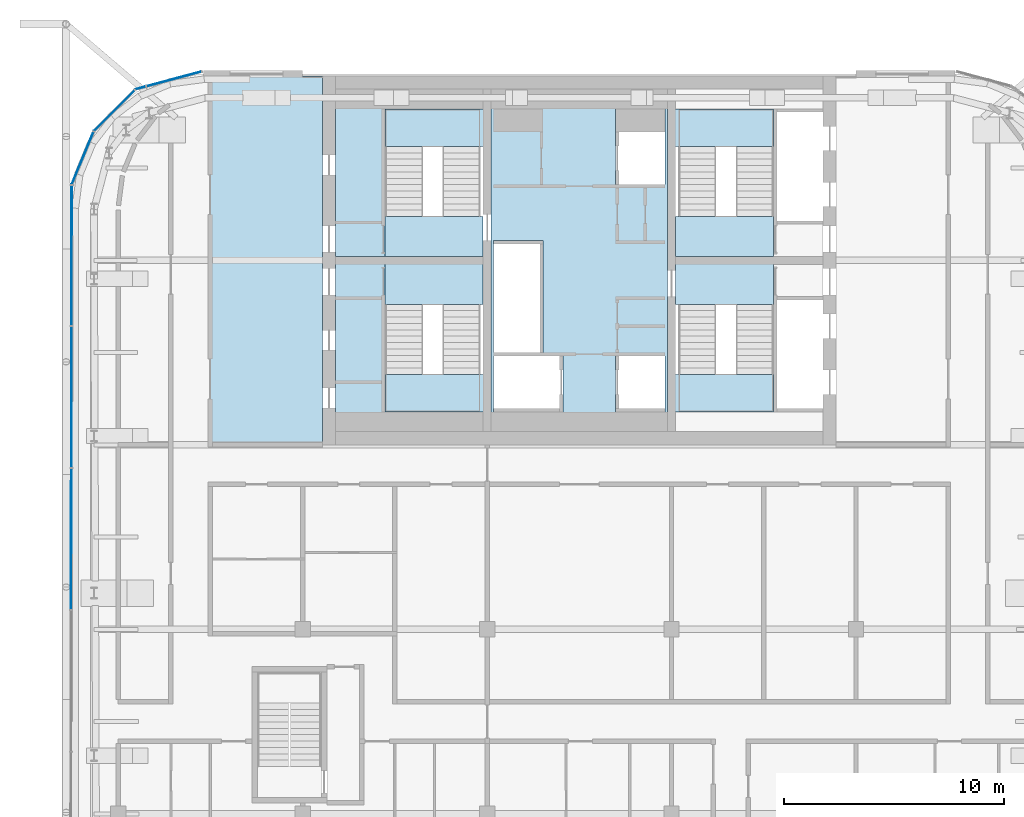
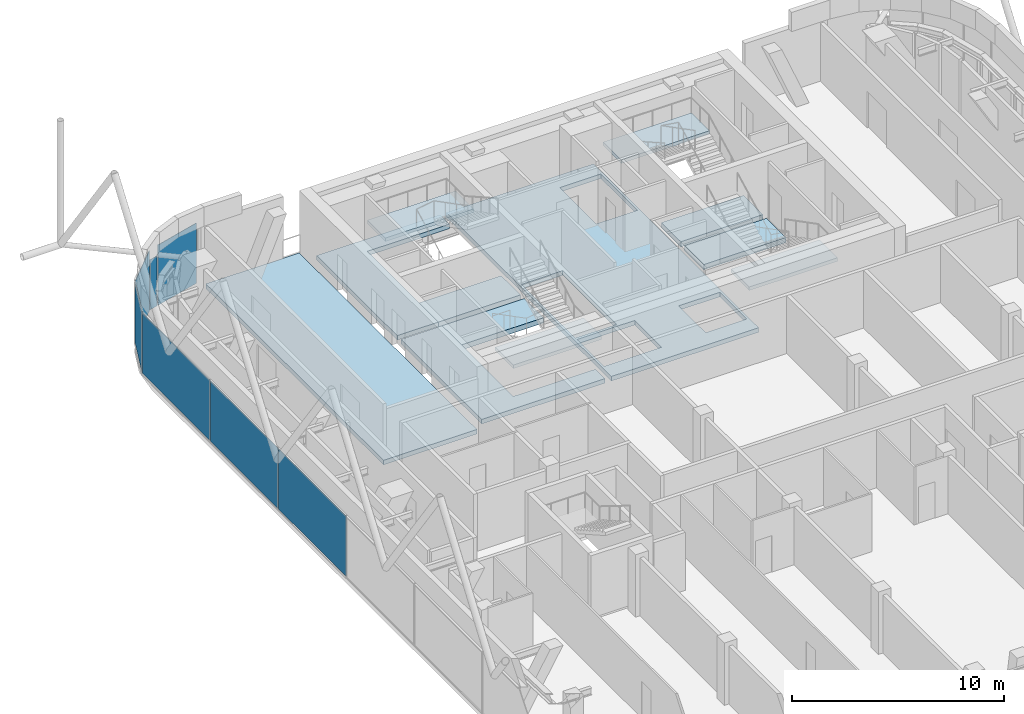
# One storey, part 17 of 25: 12 slabs, 7 plates, 9 elements without a shape of their own.
"""IFC4 building model written with IfcOpenShell, lengths in metres."""

from ifc_helpers import new_model, si_unit, direction, frame, origin, origin_2d, place, context, subcontext, project, spatial, polyline, rectangle, outline, extrude, material, layer, layer_set, type_object, element, aggregate, save


model = new_model("IFC4")

# Units and contexts
model_context = context("Model", 3, precision=1e-05, world=origin(), true_north=direction((0.0, 1.0)))
body_context = subcontext(model_context, "Body", "Model", "MODEL_VIEW")
ifc_project = project(units=[si_unit("LENGTHUNIT", "METRE"), si_unit("AREAUNIT", "SQUARE_METRE"), si_unit("VOLUMEUNIT", "CUBIC_METRE"), si_unit("PLANEANGLEUNIT", "RADIAN"), si_unit("MASSUNIT", "GRAM", prefix="KILO")], contexts=[model_context])

# Site, building, storey
site_placement = place(None, origin())
site = spatial("IfcSite", under=ifc_project, at=site_placement, CompositionType="ELEMENT")
building_placement = place(site_placement, origin())
building = spatial("IfcBuilding", under=site, at=building_placement, Name="Marenta Gate Hotel Tower", CompositionType="ELEMENT")
storey_placement = place(building_placement, frame((0.0, 0.0, 277.699951171875)))
storey = spatial("IfcBuildingStorey", under=building, at=storey_placement, Name="L64", CompositionType="ELEMENT", Elevation=277.699951171875)

# Slabs
ifc_material_1 = material(Name="Concrete C40", Category="concrete")
ifc_layer_1 = layer(ifc_material_1, 0.260009765625)
ifc_layer_set_1 = layer_set([ifc_layer_1], Name="Concrete C40")
slab_type_1 = type_object("IfcSlabType", Name="Core floor slab 260", PredefinedType="FLOOR", material=ifc_layer_set_1)
slab_1_placement = place(storey_placement, frame((0.0, 0.0, -0.260009765625)))
element("IfcSlab", 1, at=slab_1_placement, inside=storey, type_object=slab_type_1, Name="L64-CF-4", PredefinedType="FLOOR", context=body_context, shape_type="SweptSolid", body=[
    extrude(outline(polyline([(4.02490234375, 15.300048828125), (4.02490234375, 10.39990234375), (4.02490234375, 6.39990234375), (4.02490234375, 1.5), (4.02490234375, 0.60009765625), (-4.02490234375, 0.60009765625), (-4.02490234375, 1.5), (-4.02490234375, 6.39990234375), (-4.02490234375, 10.39990234375), (-4.02490234375, 15.300048828125), (-4.02490234375, 16.199951171875), (4.02490234375, 16.199951171875), (4.02490234375, 15.300048828125)]), holes=[polyline([(1.64990234375, 14.25), (1.64990234375, 11.85009765625), (1.800048828125, 11.85009765625), (3.89990234375, 11.85009765625), (3.89990234375, 14.25), (3.89990234375, 15.300048828125), (1.64990234375, 15.300048828125), (1.64990234375, 14.25)]), polyline([(3.89990234375, 1.64990234375), (3.89990234375, 4.050048828125), (1.800048828125, 4.050048828125), (1.64990234375, 4.050048828125), (1.64990234375, 1.64990234375), (1.64990234375, 1.5), (3.89990234375, 1.5), (3.89990234375, 1.64990234375)]), polyline([(-3.89990234375, 1.64990234375), (-3.89990234375, 1.5), (-0.89990234375, 1.5), (-0.75, 1.5), (-0.75, 4.050048828125), (-0.89990234375, 4.050048828125), (-3.89990234375, 4.050048828125), (-3.89990234375, 1.64990234375)]), polyline([(-1.800048828125, 4.199951171875), (-1.64990234375, 4.199951171875), (-1.64990234375, 9.14990234375), (-1.64990234375, 9.300048828125), (-3.89990234375, 9.300048828125), (-3.89990234375, 9.14990234375), (-3.89990234375, 6.75), (-3.89990234375, 6.60009765625), (-3.89990234375, 4.199951171875), (-1.800048828125, 4.199951171875)])]), origin(), (0.0, 0.0, 1.0), 0.260009765625),
])
slab_2_placement = place(storey_placement, frame((0.0, 0.0, -0.260009765625)))
element("IfcSlab", 2, at=slab_2_placement, inside=storey, type_object=slab_type_1, Name="L64-CF-5", PredefinedType="FLOOR", context=body_context, shape_type="SweptSolid", body=[
    extrude(outline(polyline([(-8.85009765625, 8.22509765625), (-8.85009765625, 8.10009765625), (-8.85009765625, 6.39990234375), (-8.85009765625, 1.5), (-4.375, 1.5), (-4.375, 0.60009765625), (-11.10009765625, 0.60009765625), (-11.10009765625, 8.22509765625), (-8.85009765625, 8.22509765625)])), origin(), (0.0, 0.0, 1.0), 0.260009765625),
])
slab_3_placement = place(storey_placement, frame((0.0, 0.0, -0.260009765625)))
element("IfcSlab", 3, at=slab_3_placement, inside=storey, type_object=slab_type_1, Name="L64-CF-6", PredefinedType="FLOOR", context=body_context, shape_type="SweptSolid", body=[
    extrude(outline(polyline([(-4.375, 15.300048828125), (-8.85009765625, 15.300048828125), (-8.85009765625, 10.39990234375), (-8.85009765625, 8.699951171875), (-8.85009765625, 8.574951171875), (-11.10009765625, 8.574951171875), (-11.10009765625, 16.199951171875), (-4.375, 16.199951171875), (-4.375, 15.300048828125)])), origin(), (0.0, 0.0, 1.0), 0.260009765625),
])
slab_4_placement = place(storey_placement, frame((0.0, 0.0, -0.260009765625)))
element("IfcSlab", 4, at=slab_4_placement, inside=storey, type_object=slab_type_1, Name="L64-CF-7", PredefinedType="FLOOR", context=body_context, shape_type="SweptSolid", body=[
    extrude(outline(polyline([(-11.699951171875, 16.800048828125), (-11.699951171875, 0.0), (-16.800048828125, 0.0), (-16.800048828125, 16.800048828125), (-11.699951171875, 16.800048828125)])), origin(), (0.0, 0.0, 1.0), 0.260009765625),
])

# Stair, slab
ifc_material_2 = material(Name="Concrete C40", Category="concrete")
stair_type = type_object("IfcStairType", Name="Core exit stair 1700 wide", PredefinedType="HALF_TURN_STAIR", material=ifc_material_2)
stair_1_placement = place(storey_placement, origin())
stair_1 = element("IfcStair", 5, at=stair_1_placement, inside=storey, type_object=stair_type, Name="Exit stair 1", PredefinedType="HALF_TURN_STAIR")
ifc_material_3 = material(Name="Concrete C40", Category="concrete")
ifc_layer_2 = layer(ifc_material_3, 0.199951171875)
ifc_layer_set_2 = layer_set([ifc_layer_2], Name="Concrete C40")
slab_type_2 = type_object("IfcSlabType", Name="Core stair landing 200", PredefinedType="LANDING", material=ifc_layer_set_2)
slab_5_placement = place(storey_placement, frame((0.0, 0.0, 1.60009765625)))
slab_5 = element("IfcSlab", 6, at=slab_5_placement, type_object=slab_type_2, Name="SL-200 ST1 landing 1", PredefinedType="LANDING", context=body_context, shape_type="SweptSolid", body=[
    extrude(outline(polyline([(-8.85009765625, 1.5), (-4.02490234375, 1.5), (-4.02490234375, 3.2099609375), (-8.85009765625, 3.2099609375), (-8.85009765625, 1.5)])), origin(), (0.0, 0.0, 1.0), 0.199951171875),
])
aggregate(stair_1, [slab_5])

stair_2_placement = place(storey_placement, origin())
stair_2 = element("IfcStair", 7, at=stair_2_placement, inside=storey, type_object=stair_type, Name="Exit stair 2", PredefinedType="HALF_TURN_STAIR")
slab_6_placement = place(storey_placement, frame((0.0, 0.0, 1.60009765625)))
slab_6 = element("IfcSlab", 8, at=slab_6_placement, type_object=slab_type_2, Name="SL-200 ST2 landing 1", PredefinedType="LANDING", context=body_context, shape_type="SweptSolid", body=[
    extrude(outline(polyline([(-8.85009765625, 13.590087890625), (-4.02490234375, 13.590087890625), (-4.02490234375, 15.300048828125), (-8.85009765625, 15.300048828125), (-8.85009765625, 13.590087890625)])), origin(), (0.0, 0.0, 1.0), 0.199951171875),
])
aggregate(stair_2, [slab_6])

stair_3_placement = place(storey_placement, origin())
stair_3 = element("IfcStair", 9, at=stair_3_placement, inside=storey, type_object=stair_type, Name="Exit stair 3", PredefinedType="HALF_TURN_STAIR")
slab_7_placement = place(storey_placement, frame((0.0, 0.0, 1.60009765625)))
slab_7 = element("IfcSlab", 10, at=slab_7_placement, type_object=slab_type_2, Name="SL-200 ST3 landing 1", PredefinedType="LANDING", context=body_context, shape_type="SweptSolid", body=[
    extrude(outline(polyline([(4.02490234375, 1.5), (8.85009765625, 1.5), (8.85009765625, 3.2099609375), (4.02490234375, 3.2099609375), (4.02490234375, 1.5)])), origin(), (0.0, 0.0, 1.0), 0.199951171875),
])
aggregate(stair_3, [slab_7])

stair_4_placement = place(storey_placement, origin())
stair_4 = element("IfcStair", 11, at=stair_4_placement, inside=storey, type_object=stair_type, Name="Exit stair 4", PredefinedType="HALF_TURN_STAIR")
slab_8_placement = place(storey_placement, frame((0.0, 0.0, 1.60009765625)))
slab_8 = element("IfcSlab", 12, at=slab_8_placement, type_object=slab_type_2, Name="SL-200 ST4 landing 1", PredefinedType="LANDING", context=body_context, shape_type="SweptSolid", body=[
    extrude(outline(polyline([(4.02490234375, 13.590087890625), (8.85009765625, 13.590087890625), (8.85009765625, 15.300048828125), (4.02490234375, 15.300048828125), (4.02490234375, 13.590087890625)])), origin(), (0.0, 0.0, 1.0), 0.199951171875),
])
aggregate(stair_4, [slab_8])

# Curtain wall, plate
ifc_material_4 = material(Name="Tinted insulated glass in bronze anodised frame", Category="glass")
ifc_layer_3 = layer(ifc_material_4, 0.1201171875)
ifc_layer_set_3 = layer_set([ifc_layer_3], Name="Tinted insulated glass in bronze anodised frame")
curtain_wall_type = type_object("IfcCurtainWallType", Name="Tower unitised curtain wall CW1", PredefinedType="NOTDEFINED", material=ifc_layer_set_3)
curtain_wall_1_placement = place(storey_placement, origin())
curtain_wall_1 = element("IfcCurtainWall", 13, at=curtain_wall_1_placement, inside=storey, type_object=curtain_wall_type, Name="CW1 run G00", PredefinedType="NOTDEFINED")
ifc_material_5 = material(Name="Tinted insulated glass", Category="glass")
ifc_layer_4 = layer(ifc_material_5, 0.028076171875)
ifc_layer_set_4 = layer_set([ifc_layer_4], Name="Tinted insulated glass")
plate_type = type_object("IfcPlateType", Name="Glass panel CW1 28 mm tinted insulated unit", PredefinedType="CURTAIN_PANEL", material=ifc_layer_set_4)
plate_1_placement = place(storey_placement, frame((-18.4541015625, 16.663330078125, 0.06005859375), z_axis=(0.0, 0.0, 1.0), x_axis=(-0.965932248849, -0.258795074592, 0.0)))
plate_1 = element("IfcPlate", 14, at=plate_1_placement, type_object=plate_type, Name="CW1 panel 1.1", PredefinedType="CURTAIN_PANEL", context=body_context, shape_type="SweptSolid", body=[
    extrude(rectangle(XDim=2.56689453125, YDim=0.028076171875, at=origin_2d()), origin(), (0.0, 0.0, 1.0), 3.47998046875),
])
aggregate(curtain_wall_1, [plate_1])

curtain_wall_2_placement = place(storey_placement, origin())
curtain_wall_2 = element("IfcCurtainWall", 15, at=curtain_wall_2_placement, inside=storey, type_object=curtain_wall_type, Name="CW1 run G01", PredefinedType="NOTDEFINED")
plate_2_placement = place(storey_placement, frame((-19.9873046875, 16.252685546875, 0.06005859375), z_axis=(0.0, 0.0, 1.0), x_axis=(-0.965922302749, -0.258832194776, 0.0)))
plate_2 = element("IfcPlate", 16, at=plate_2_placement, type_object=plate_type, Name="CW1 panel 1.1", PredefinedType="CURTAIN_PANEL", context=body_context, shape_type="SweptSolid", body=[
    extrude(rectangle(XDim=0.48779296875, YDim=0.028076171875, at=origin_2d()), origin(), (0.0, 0.0, 1.0), 2.880615234375),
])
aggregate(curtain_wall_2, [plate_2])

curtain_wall_3_placement = place(storey_placement, origin())
curtain_wall_3 = element("IfcCurtainWall", 17, at=curtain_wall_3_placement, inside=storey, type_object=curtain_wall_type, Name="CW1 run G02", PredefinedType="NOTDEFINED")
plate_3_placement = place(storey_placement, frame((-21.18310546875, 15.2216796875, 0.06005859375), z_axis=(0.0, 0.0, 1.0), x_axis=(-0.707106781187, -0.707106781187, 0.0)))
plate_3 = element("IfcPlate", 18, at=plate_3_placement, type_object=plate_type, Name="CW1 panel 1.1", PredefinedType="CURTAIN_PANEL", context=body_context, shape_type="SweptSolid", body=[
    extrude(rectangle(XDim=2.603759765625, YDim=0.028076171875, at=origin_2d()), origin(), (0.0, 0.0, 1.0), 3.47998046875),
])
aggregate(curtain_wall_3, [plate_3])

curtain_wall_4_placement = place(storey_placement, origin())
curtain_wall_4 = element("IfcCurtainWall", 19, at=curtain_wall_4_placement, inside=storey, type_object=curtain_wall_type, Name="CW1 run G03", PredefinedType="NOTDEFINED")
plate_4_placement = place(storey_placement, frame((-22.619384765625, 13.055908203125, 0.06005859375), z_axis=(0.0, 0.0, 1.0), x_axis=(-0.382666772044, -0.923886433266, 0.0)))
plate_4 = element("IfcPlate", 20, at=plate_4_placement, type_object=plate_type, Name="CW1 panel 1.1", PredefinedType="CURTAIN_PANEL", context=body_context, shape_type="SweptSolid", body=[
    extrude(rectangle(XDim=2.57568359375, YDim=0.028076171875, at=origin_2d()), origin(), (0.0, 0.0, 1.0), 3.47998046875),
])
aggregate(curtain_wall_4, [plate_4])

# Curtain wall, plates
curtain_wall_5_placement = place(storey_placement, origin())
curtain_wall_5 = element("IfcCurtainWall", 21, at=curtain_wall_5_placement, inside=storey, type_object=curtain_wall_type, Name="CW1 run G04", PredefinedType="NOTDEFINED")
plate_5_placement = place(storey_placement, frame((-23.117431640625, 8.62109375, 0.06005859375), z_axis=(0.0, 0.0, 1.0), x_axis=(-0.001566045546, -0.99999877375, 0.0)))
plate_5 = element("IfcPlate", 22, at=plate_5_placement, type_object=plate_type, Name="CW1 panel 1.1", PredefinedType="CURTAIN_PANEL", context=body_context, shape_type="SweptSolid", body=[
    extrude(rectangle(XDim=6.3701171875, YDim=0.028076171875, at=origin_2d()), origin(), (0.0, 0.0, 1.0), 3.47998046875),
])
plate_6_placement = place(storey_placement, frame((-23.12744140625, 2.17626953125, 0.06005859375), z_axis=(0.0, 0.0, 1.0), x_axis=(-0.001566045546, -0.99999877375, 0.0)))
plate_6 = element("IfcPlate", 23, at=plate_6_placement, type_object=plate_type, Name="CW1 panel 2.1", PredefinedType="CURTAIN_PANEL", context=body_context, shape_type="SweptSolid", body=[
    extrude(rectangle(XDim=6.39990234375, YDim=0.028076171875, at=origin_2d()), origin(), (0.0, 0.0, 1.0), 3.47998046875),
])
plate_7_placement = place(storey_placement, frame((-23.1376953125, -4.28369140625, 0.06005859375), z_axis=(0.0, 0.0, 1.0), x_axis=(-0.001566045546, -0.99999877375, 0.0)))
plate_7 = element("IfcPlate", 24, at=plate_7_placement, type_object=plate_type, Name="CW1 panel 3.1", PredefinedType="CURTAIN_PANEL", context=body_context, shape_type="SweptSolid", body=[
    extrude(rectangle(XDim=6.39990234375, YDim=0.028076171875, at=origin_2d()), origin(), (0.0, 0.0, 1.0), 3.47998046875),
])
aggregate(curtain_wall_5, [plate_5, plate_6, plate_7])

# Slabs
ifc_material_6 = material(Name="Concrete C40", Category="concrete")
ifc_layer_5 = layer(ifc_material_6, 0.300048828125)
ifc_layer_set_5 = layer_set([ifc_layer_5], Name="Concrete C40")
slab_type_3 = type_object("IfcSlabType", Name="Stair floor landing slab 300", PredefinedType="FLOOR", material=ifc_layer_set_5)
slab_9_placement = place(storey_placement, frame((0.0, 0.0, -0.300048828125)))
element("IfcSlab", 25, at=slab_9_placement, inside=storey, type_object=slab_type_3, Name="L64-CL-ST1-1", PredefinedType="FLOOR", context=body_context, shape_type="SweptSolid", body=[
    extrude(outline(polyline([(-4.375, 6.39990234375), (-8.85009765625, 6.39990234375), (-8.85009765625, 8.10009765625), (-8.85009765625, 8.22509765625), (-4.375, 8.22509765625), (-4.375, 6.39990234375)])), origin(), (0.0, 0.0, 1.0), 0.300048828125),
])
slab_10_placement = place(storey_placement, frame((0.0, 0.0, -0.300048828125)))
element("IfcSlab", 26, at=slab_10_placement, inside=storey, type_object=slab_type_3, Name="L64-CL-ST2-1", PredefinedType="FLOOR", context=body_context, shape_type="SweptSolid", body=[
    extrude(outline(polyline([(-4.375, 8.574951171875), (-8.85009765625, 8.574951171875), (-8.85009765625, 8.699951171875), (-8.85009765625, 10.39990234375), (-4.375, 10.39990234375), (-4.375, 8.574951171875)])), origin(), (0.0, 0.0, 1.0), 0.300048828125),
])
slab_11_placement = place(storey_placement, frame((0.0, 0.0, -0.300048828125)))
element("IfcSlab", 27, at=slab_11_placement, inside=storey, type_object=slab_type_3, Name="L64-CL-ST3-1", PredefinedType="FLOOR", context=body_context, shape_type="SweptSolid", body=[
    extrude(outline(polyline([(4.375, 6.39990234375), (4.375, 8.22509765625), (8.85009765625, 8.22509765625), (8.85009765625, 8.10009765625), (8.85009765625, 6.39990234375), (4.375, 6.39990234375)])), origin(), (0.0, 0.0, 1.0), 0.300048828125),
])
slab_12_placement = place(storey_placement, frame((0.0, 0.0, -0.300048828125)))
element("IfcSlab", 28, at=slab_12_placement, inside=storey, type_object=slab_type_3, Name="L64-CL-ST4-1", PredefinedType="FLOOR", context=body_context, shape_type="SweptSolid", body=[
    extrude(outline(polyline([(4.375, 8.574951171875), (4.375, 10.39990234375), (8.85009765625, 10.39990234375), (8.85009765625, 8.699951171875), (8.85009765625, 8.574951171875), (4.375, 8.574951171875)])), origin(), (0.0, 0.0, 1.0), 0.300048828125),
])

save(model, "model.ifc")
